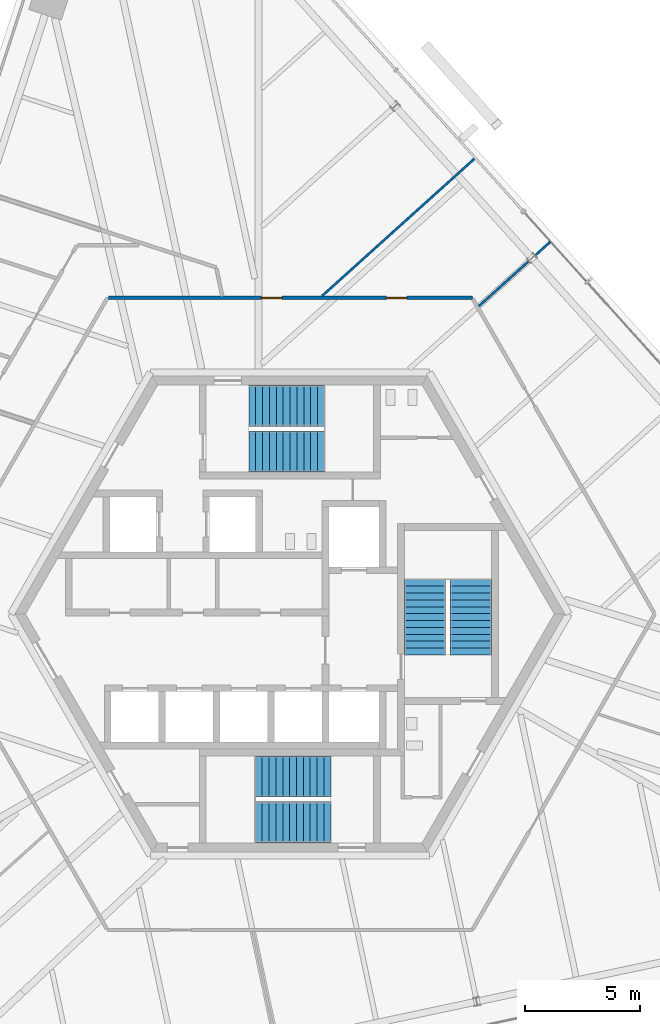
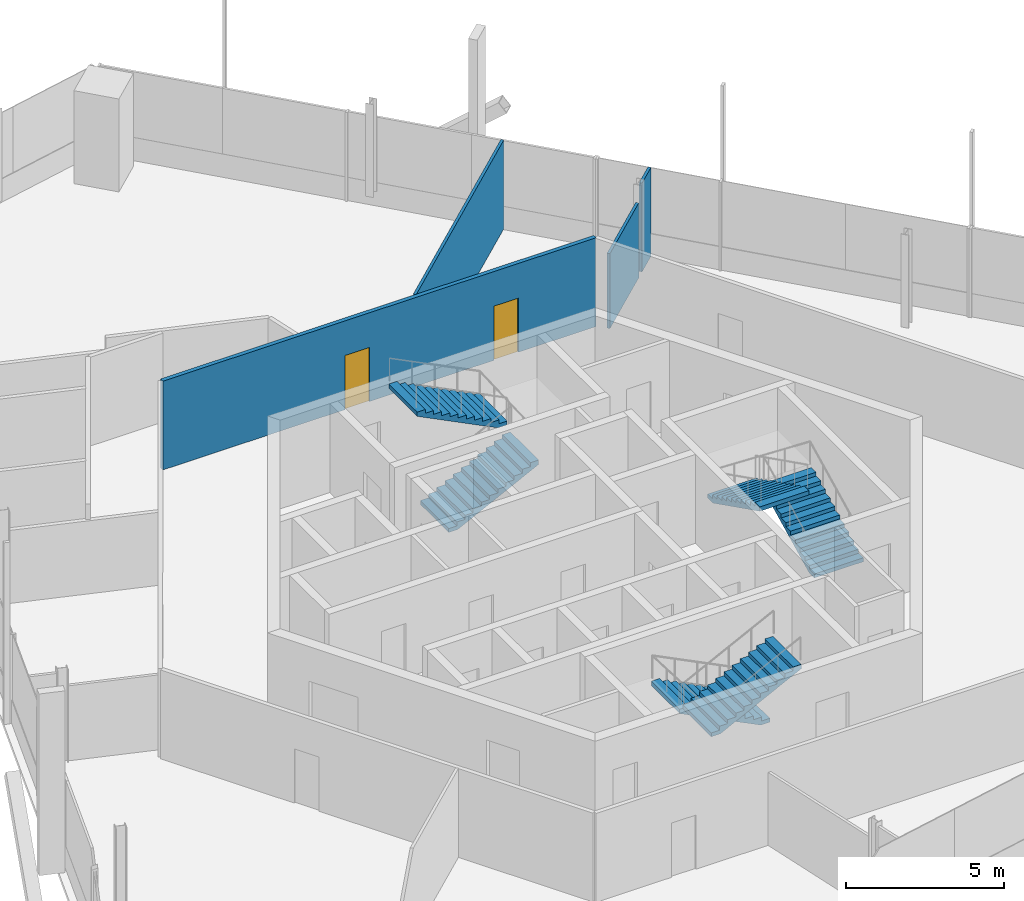
# One storey, part 12 of 16: 6 stair flights, 4 walls, 2 doors, 2 openings, 3 elements without a shape of their own.
"""IFC4 building model written with IfcOpenShell, lengths in metres."""

from ifc_helpers import new_model, si_unit, direction, frame, frame_2d, origin, place, context, subcontext, project, spatial, polyline, rectangle, outline, extrude, source, transform, mapped, material, layer, layer_set, type_object, element, fill, aggregate, save


model = new_model("IFC4")

# Units and contexts
model_context = context("Model", 3, precision=1e-05, world=origin(), true_north=direction((0.0, 1.0)))
body_context = subcontext(model_context, "Body", "Model", "MODEL_VIEW")
ifc_project = project(units=[si_unit("LENGTHUNIT", "METRE"), si_unit("AREAUNIT", "SQUARE_METRE"), si_unit("VOLUMEUNIT", "CUBIC_METRE"), si_unit("PLANEANGLEUNIT", "RADIAN"), si_unit("MASSUNIT", "GRAM", prefix="KILO")], contexts=[model_context])

# Site, building, storey
site_placement = place(None, origin())
site = spatial("IfcSite", under=ifc_project, at=site_placement, CompositionType="ELEMENT")
building_placement = place(site_placement, origin())
building = spatial("IfcBuilding", under=site, at=building_placement, Name="Triune Harvest Tower", CompositionType="ELEMENT")
storey_placement = place(building_placement, frame((0.0, 0.0, 266.699951171875)))
storey = spatial("IfcBuildingStorey", under=building, at=storey_placement, Name="L70", CompositionType="ELEMENT", Elevation=266.699951171875)

# Walls
ifc_material_1 = material(Name="Gypsum board on steel studs", Category="steel")
ifc_layer_1 = layer(ifc_material_1, 0.10009765625)
ifc_layer_set_1 = layer_set([ifc_layer_1], Name="Gypsum board on steel studs")
wall_type_1 = type_object("IfcWallType", Name="Partition 100 mm", PredefinedType="PARTITIONING", material=ifc_layer_set_1)
wall_1_placement = place(storey_placement, frame((1.412109375, 13.885986328125, 0.0), z_axis=(0.0, 0.0, 1.0), x_axis=(0.743142873399, 0.669132774356, 0.0)))
element("IfcWall", 1, at=wall_1_placement, inside=storey, type_object=wall_type_1, Name="Partition L70 026", PredefinedType="PARTITIONING", context=body_context, shape_type="SweptSolid", body=[
    extrude(rectangle(XDim=8.989013671875, YDim=0.10009765625, at=frame_2d((4.49462890625, 0.0))), origin(), (0.0, 0.0, 1.0), 3.43994140625),
])
shared_shape_1 = source(origin(), body_context, "Body", "SweptSolid", [
    extrude(rectangle(XDim=2.95458984375, YDim=0.10009765625, at=frame_2d((1.477294921875, 0.0))), origin(), (0.0, 0.0, 1.0), 2.904052734375),
])
wall_2_placement = place(storey_placement, frame((8.248779296875, 13.43408203125, 0.0), z_axis=(0.0, 0.0, 1.0), x_axis=(0.743154438843, 0.669119929481, 0.0)))
element("IfcWall", 2, at=wall_2_placement, inside=storey, type_object=wall_type_1, Name="Partition L70 024", PredefinedType="PARTITIONING", context=body_context, shape_type="MappedRepresentation", body=[
    mapped(shared_shape_1, transform((0.0, 0.0, 0.0), scale=1.0)),
])

# Wall, openings, doors
ifc_material_2 = material(Name="Gypsum board on steel studs", Category="steel")
ifc_layer_2 = layer(ifc_material_2, 0.14990234375)
ifc_layer_set_2 = layer_set([ifc_layer_2], Name="Gypsum board on steel studs")
wall_type_2 = type_object("IfcWallType", Name="Fire Partition 150 mm", PredefinedType="PARTITIONING", material=ifc_layer_set_2)
shared_shape_2 = source(origin(), body_context, "Body", "SweptSolid", [
    extrude(rectangle(XDim=15.8759765625, YDim=0.14990234375, at=frame_2d((7.93798828125, 0.0))), origin(), (0.0, 0.0, 1.0), 3.43994140625),
])
wall_3_placement = place(storey_placement, frame((-7.9130859375, 13.792236328125, 0.0), z_axis=(0.0, 0.0, 1.0), x_axis=(1.0, 0.0, 0.0)))
wall_3 = element("IfcWall", 3, at=wall_3_placement, inside=storey, type_object=wall_type_2, Name="Partition L70 018", PredefinedType="PARTITIONING", context=body_context, shape_type="MappedRepresentation", body=[
    mapped(shared_shape_2, transform((0.0, 0.0, 0.0), scale=1.0)),
])
opening_1_placement = place(wall_3_placement, frame((6.671142578125, 0.0, 0.0)))
opening_1 = element("IfcOpeningElement", 4, at=opening_1_placement, cuts=wall_3, Name="Opening L70-002", PredefinedType="OPENING", context=body_context, shape_type="SweptSolid", body=[
    extrude(rectangle(XDim=0.89990234375, YDim=2.10009765625, at=frame_2d((0.449951171875, 1.050048828125))), frame((0.0, 0.0849609375, 0.0), z_axis=(0.0, -1.0, 0.0), x_axis=(1.0, 0.0, 0.0)), (0.0, 0.0, 1.0), 0.169921875),
])
opening_2_placement = place(wall_3_placement, frame((12.1259765625, 0.0, 0.0)))
opening_2 = element("IfcOpeningElement", 5, at=opening_2_placement, cuts=wall_3, Name="Opening L70-003", PredefinedType="OPENING", context=body_context, shape_type="SweptSolid", body=[
    extrude(rectangle(XDim=0.89990234375, YDim=2.10009765625, at=frame_2d((0.449951171875, 1.050048828125))), frame((0.0, 0.0849609375, 0.0), z_axis=(0.0, -1.0, 0.0), x_axis=(1.0, 0.0, 0.0)), (0.0, 0.0, 1.0), 0.169921875),
])
ifc_material_3 = material(Name="Timber and steel door set", Category="steel")
door_type_1 = type_object("IfcDoorType", Name="Single leaf door FD30 left hand 900 x 2100", OperationType="SINGLE_SWING_LEFT", PredefinedType="DOOR", material=ifc_material_3)
door_1_placement = place(opening_1_placement, origin())
door_1 = element("IfcDoor", 6, at=door_1_placement, inside=storey, type_object=door_type_1, Name="Door L70-002 Open Office 70.02", OperationType="SINGLE_SWING_LEFT", OverallHeight=2.10009765625, OverallWidth=0.89990234375, PredefinedType="DOOR", context=body_context, shape_type="SweptSolid", body=[
    extrude(rectangle(XDim=0.89990234375, YDim=2.10009765625, at=frame_2d((0.449951171875, 1.050048828125))), frame((0.0, 0.02490234375, 0.0), z_axis=(0.0, -1.0, 0.0), x_axis=(1.0, 0.0, 0.0)), (0.0, 0.0, 1.0), 0.050048828125),
])
fill(opening_1, door_1)
ifc_material_4 = material(Name="Timber and steel door set", Category="steel")
door_type_2 = type_object("IfcDoorType", Name="Single leaf door FD30 right hand 900 x 2100", OperationType="SINGLE_SWING_RIGHT", PredefinedType="DOOR", material=ifc_material_4)
door_2_placement = place(opening_2_placement, origin())
door_2 = element("IfcDoor", 7, at=door_2_placement, inside=storey, type_object=door_type_2, Name="Door L70-003 Pantry 70.03", OperationType="SINGLE_SWING_RIGHT", OverallHeight=2.10009765625, OverallWidth=0.89990234375, PredefinedType="DOOR", context=body_context, shape_type="SweptSolid", body=[
    extrude(rectangle(XDim=0.89990234375, YDim=2.10009765625, at=frame_2d((0.449951171875, 1.050048828125))), frame((0.0, 0.02490234375, 0.0), z_axis=(0.0, -1.0, 0.0), x_axis=(1.0, 0.0, 0.0)), (0.0, 0.0, 1.0), 0.050048828125),
])
fill(opening_2, door_2)

# Wall
shared_shape_3 = source(origin(), body_context, "Body", "SweptSolid", [
    extrude(rectangle(XDim=0.915283203125, YDim=0.10009765625, at=frame_2d((0.45751953125, 0.0))), origin(), (0.0, 0.0, 1.0), 3.43994140625),
])
wall_4_placement = place(storey_placement, frame((10.69775390625, 15.63916015625, 0.0), z_axis=(0.0, 0.0, 1.0), x_axis=(0.743081911728, 0.669200472551, 0.0)))
element("IfcWall", 8, at=wall_4_placement, inside=storey, type_object=wall_type_1, Name="Partition L70 025", PredefinedType="PARTITIONING", context=body_context, shape_type="MappedRepresentation", body=[
    mapped(shared_shape_3, transform((0.0, 0.0, 0.0), scale=1.0)),
])

# Stair, stair flights
ifc_material_5 = material(Name="Concrete 40 MPa", Category="concrete")
stair_type = type_object("IfcStairType", Name="Exit stair 1800 half turn", PredefinedType="HALF_TURN_STAIR", material=ifc_material_5)
stair_1_placement = place(storey_placement, origin())
stair_1 = element("IfcStair", 9, at=stair_1_placement, inside=storey, type_object=stair_type, Name="Exit stair north", PredefinedType="HALF_TURN_STAIR")
ifc_material_6 = material(Name="Concrete 40 MPa", Category="concrete")
stair_flight_type = type_object("IfcStairFlightType", Name="Stair flight 1800", PredefinedType="STRAIGHT", material=ifc_material_6)
shared_shape_4 = source(origin(), body_context, "Body", "SweptSolid", [
    extrude(outline(polyline([(0.0, 0.0), (0.0, 0.14990234375), (0.300048828125, 0.14990234375), (0.300048828125, 0.300048828125), (0.60009765625, 0.300048828125), (0.60009765625, 0.449951171875), (0.89990234375, 0.449951171875), (0.89990234375, 0.60009765625), (1.199951171875, 0.60009765625), (1.199951171875, 0.75), (1.5, 0.75), (1.5, 0.89990234375), (1.800048828125, 0.89990234375), (1.800048828125, 1.050048828125), (2.10009765625, 1.050048828125), (2.10009765625, 1.199951171875), (2.39990234375, 1.199951171875), (2.39990234375, 1.35009765625), (2.699951171875, 1.35009765625), (2.699951171875, 1.5), (3.0, 1.5), (3.0, 1.64990234375), (3.300048828125, 1.64990234375), (3.300048828125, 1.800048828125), (3.300048828125, 1.482421875), (0.335205078125, 0.0), (0.0, 0.0)])), frame((0.0, 0.89990234375, 0.0), z_axis=(0.0, -1.0, 0.0), x_axis=(1.0, 0.0, 0.0)), (0.0, 0.0, 1.0), 1.800048828125),
])
stair_flight_1_placement = place(storey_placement, frame((-1.7900390625, 7.090087890625, 0.0), z_axis=(0.0, 0.0, 1.0), x_axis=(1.0, 0.0, 0.0)))
stair_flight_1 = element("IfcStairFlight", 10, at=stair_flight_1_placement, type_object=stair_flight_type, Name="ST-1 flight 1", NumberOfRisers=12, NumberOfTreads=11, PredefinedType="STRAIGHT", RiserHeight=0.15, TreadLength=0.3, context=body_context, shape_type="MappedRepresentation", body=[
    mapped(shared_shape_4, transform((0.0, 0.0, 0.0), scale=1.0)),
])
stair_flight_2_placement = place(storey_placement, frame((1.510009765625, 9.090087890625, 1.800048828125), z_axis=(0.0, 0.0, 1.0), x_axis=(-1.0, 0.0, 0.0)))
stair_flight_2 = element("IfcStairFlight", 11, at=stair_flight_2_placement, type_object=stair_flight_type, Name="ST-1 flight 2", NumberOfRisers=12, NumberOfTreads=11, PredefinedType="STRAIGHT", RiserHeight=0.15, TreadLength=0.3, context=body_context, shape_type="MappedRepresentation", body=[
    mapped(shared_shape_4, transform((0.0, 0.0, 0.0), scale=1.0)),
])
aggregate(stair_1, [stair_flight_1, stair_flight_2])

stair_2_placement = place(storey_placement, origin())
stair_2 = element("IfcStair", 12, at=stair_2_placement, inside=storey, type_object=stair_type, Name="Exit stair south", PredefinedType="HALF_TURN_STAIR")
stair_flight_3_placement = place(storey_placement, frame((1.7900390625, -7.090087890625, 0.0), z_axis=(0.0, 0.0, 1.0), x_axis=(-1.0, 0.0, 0.0)))
stair_flight_3 = element("IfcStairFlight", 13, at=stair_flight_3_placement, type_object=stair_flight_type, Name="ST-2 flight 1", NumberOfRisers=12, NumberOfTreads=11, PredefinedType="STRAIGHT", RiserHeight=0.15, TreadLength=0.3, context=body_context, shape_type="MappedRepresentation", body=[
    mapped(shared_shape_4, transform((0.0, 0.0, 0.0), scale=1.0)),
])
stair_flight_4_placement = place(storey_placement, frame((-1.510009765625, -9.090087890625, 1.800048828125), z_axis=(0.0, 0.0, 1.0), x_axis=(1.0, 0.0, 0.0)))
stair_flight_4 = element("IfcStairFlight", 14, at=stair_flight_4_placement, type_object=stair_flight_type, Name="ST-2 flight 2", NumberOfRisers=12, NumberOfTreads=11, PredefinedType="STRAIGHT", RiserHeight=0.15, TreadLength=0.3, context=body_context, shape_type="MappedRepresentation", body=[
    mapped(shared_shape_4, transform((0.0, 0.0, 0.0), scale=1.0)),
])
aggregate(stair_2, [stair_flight_3, stair_flight_4])

stair_3_placement = place(storey_placement, origin())
stair_3 = element("IfcStair", 15, at=stair_3_placement, inside=storey, type_object=stair_type, Name="Exit stair east", PredefinedType="HALF_TURN_STAIR")
stair_flight_5_placement = place(storey_placement, frame((7.89990234375, -1.7900390625, 0.0), z_axis=(0.0, 0.0, 1.0), x_axis=(0.0, 1.0, 0.0)))
stair_flight_5 = element("IfcStairFlight", 16, at=stair_flight_5_placement, type_object=stair_flight_type, Name="ST-3 flight 1", NumberOfRisers=12, NumberOfTreads=11, PredefinedType="STRAIGHT", RiserHeight=0.15, TreadLength=0.3, context=body_context, shape_type="MappedRepresentation", body=[
    mapped(shared_shape_4, transform((0.0, 0.0, 0.0), scale=1.0)),
])
stair_flight_6_placement = place(storey_placement, frame((5.89990234375, 1.510009765625, 1.800048828125), z_axis=(0.0, 0.0, 1.0), x_axis=(0.0, -1.0, 0.0)))
stair_flight_6 = element("IfcStairFlight", 17, at=stair_flight_6_placement, type_object=stair_flight_type, Name="ST-3 flight 2", NumberOfRisers=12, NumberOfTreads=11, PredefinedType="STRAIGHT", RiserHeight=0.15, TreadLength=0.3, context=body_context, shape_type="MappedRepresentation", body=[
    mapped(shared_shape_4, transform((0.0, 0.0, 0.0), scale=1.0)),
])
aggregate(stair_3, [stair_flight_5, stair_flight_6])

save(model, "model.ifc")
